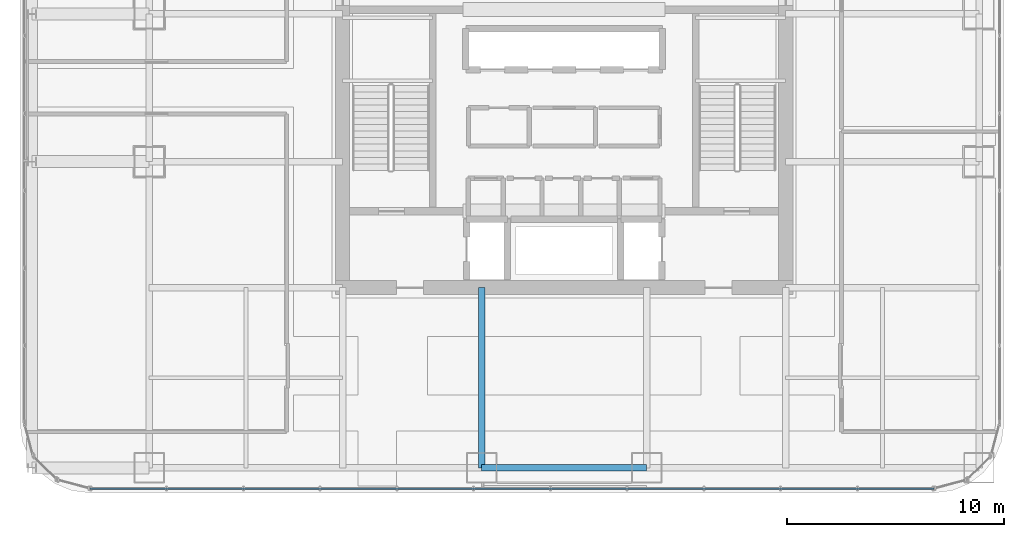
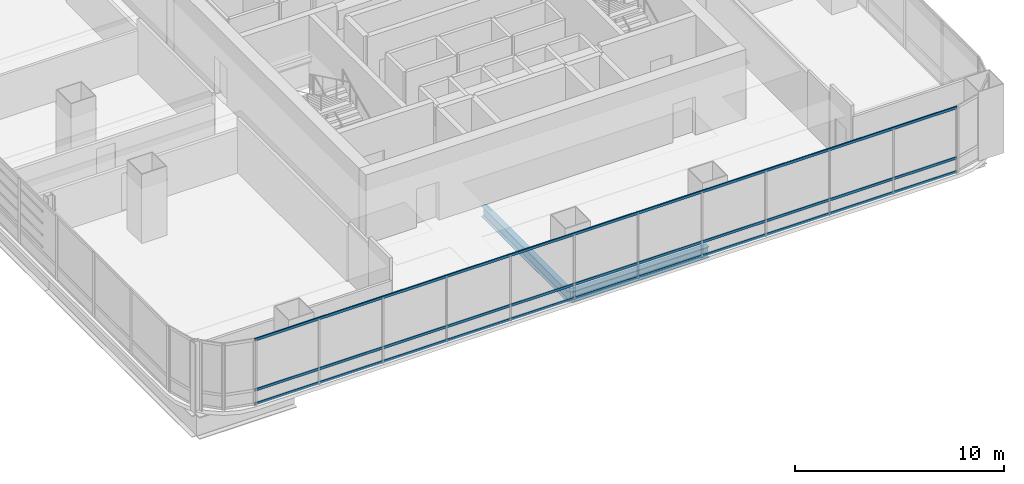
# One storey, part 8 of 38: 3 members, 2 beams, 1 element without a shape of its own.
"""IFC4 building model written with IfcOpenShell, lengths in metres."""

from ifc_helpers import new_model, si_unit, direction, frame, origin, origin_2d, place, context, subcontext, project, spatial, hollow_rectangle, i_section, extrude, material, material_profile, profile_set, type_object, element, aggregate, save


model = new_model("IFC4")

# Units and contexts
model_context = context("Model", 3, precision=1e-05, world=origin(), true_north=direction((0.0, 1.0)))
body_context = subcontext(model_context, "Body", "Model", "MODEL_VIEW")
ifc_project = project(units=[si_unit("LENGTHUNIT", "METRE"), si_unit("AREAUNIT", "SQUARE_METRE"), si_unit("VOLUMEUNIT", "CUBIC_METRE"), si_unit("PLANEANGLEUNIT", "RADIAN"), si_unit("MASSUNIT", "GRAM", prefix="KILO")], contexts=[model_context])

# Site, building, storey
site_placement = place(None, origin())
site = spatial("IfcSite", under=ifc_project, at=site_placement, CompositionType="ELEMENT")
building_placement = place(site_placement, origin())
building = spatial("IfcBuilding", under=site, at=building_placement, Name="Punatoya Terracotta Tower", CompositionType="ELEMENT")
storey_placement = place(building_placement, frame((0.0, 0.0, 147.89990234375)))
storey = spatial("IfcBuildingStorey", under=building, at=storey_placement, Name="L34", CompositionType="ELEMENT", Elevation=147.89990234375)

# Beams
ifc_material_1 = material(Name="Steel S355", Category="steel")
ifc_material_profile_1 = material_profile(ifc_material_1, i_section(OverallWidth=0.300048828125, OverallDepth=0.64990234375, WebThickness=0.01611328125, FlangeThickness=0.031005859375, FilletRadius=0.01806640625, at=origin_2d()))
ifc_profile_set_1 = profile_set([ifc_material_profile_1], Name="Steel S355")
beam_type = type_object("IfcBeamType", Name="BM-PRI-650", PredefinedType="BEAM", material=ifc_profile_set_1)
beam_1_placement = place(storey_placement, frame((-3.800048828125, -17.5, -0.544921875), z_axis=(1.0, 0.0, 0.0), x_axis=(0.0, 1.0, 0.0)))
element("IfcBeam", 1, at=beam_1_placement, inside=storey, type_object=beam_type, Name="BM-L34-RG-S2", PredefinedType="BEAM", context=body_context, shape_type="SweptSolid", body=[
    extrude(i_section(OverallWidth=0.300048828125, OverallDepth=0.64990234375, WebThickness=0.01611328125, FlangeThickness=0.031005859375, FilletRadius=0.01806640625, at=origin_2d()), origin(), (0.0, 0.0, 1.0), 7.60009765625),
])
beam_2_placement = place(storey_placement, frame((-3.800048828125, -17.5, -0.544921875), z_axis=(0.0, 1.0, 0.0), x_axis=(-1.0, 0.0, 0.0)))
element("IfcBeam", 2, at=beam_2_placement, inside=storey, type_object=beam_type, Name="BM-L34-PR-S2", PredefinedType="BEAM", context=body_context, shape_type="SweptSolid", body=[
    extrude(i_section(OverallWidth=0.300048828125, OverallDepth=0.64990234375, WebThickness=0.01611328125, FlangeThickness=0.031005859375, FilletRadius=0.01806640625, at=origin_2d()), origin(), (0.0, 0.0, 1.0), 8.300048828125),
])

# Curtain wall, members
ifc_material_2 = material(Name="Aluminium 6063-T6 + Double Low-E Glass", Category="aluminium")
curtain_wall_type = type_object("IfcCurtainWallType", Name="CW-M2", PredefinedType="NOTDEFINED", material=ifc_material_2)
curtain_wall_placement = place(storey_placement, origin())
curtain_wall = element("IfcCurtainWall", 3, at=curtain_wall_placement, inside=storey, type_object=curtain_wall_type, Name="L34 Curtain Wall CW-L34-S01-1", PredefinedType="NOTDEFINED")
ifc_material_3 = material(Name="Aluminium 6063-T6", Category="aluminium")
ifc_material_profile_2 = material_profile(ifc_material_3, hollow_rectangle(XDim=0.068115234375, YDim=0.14990234375, WallThickness=0.00390625, at=origin_2d()))
ifc_profile_set_2 = profile_set([ifc_material_profile_2], Name="Aluminium 6063-T6")
member_type = type_object("IfcMemberType", Name="CW-TRN-TYP", PredefinedType="USERDEFINED", material=ifc_profile_set_2)
member_1_placement = place(storey_placement, frame((-21.8369140625, -18.449951171875, 0.0400390625), z_axis=(1.0, 0.0, 0.0), x_axis=(0.0, 1.0, 0.0)))
member_1 = element("IfcMember", 4, at=member_1_placement, type_object=member_type, Name="CW-L34-S01-1 Transom 1", ObjectType="TRANSOM", PredefinedType="USERDEFINED", context=body_context, shape_type="SweptSolid", body=[
    extrude(hollow_rectangle(XDim=0.068115234375, YDim=0.14990234375, WallThickness=0.00390625, at=origin_2d()), origin(), (0.0, 0.0, 1.0), 38.873779296875),
])
member_2_placement = place(storey_placement, frame((-21.8369140625, -18.449951171875, 0.85009765625), z_axis=(1.0, 0.0, 0.0), x_axis=(0.0, 1.0, 0.0)))
member_2 = element("IfcMember", 5, at=member_2_placement, type_object=member_type, Name="CW-L34-S01-1 Transom 2", ObjectType="TRANSOM", PredefinedType="USERDEFINED", context=body_context, shape_type="SweptSolid", body=[
    extrude(hollow_rectangle(XDim=0.068115234375, YDim=0.14990234375, WallThickness=0.00390625, at=origin_2d()), origin(), (0.0, 0.0, 1.0), 38.873779296875),
])
member_3_placement = place(storey_placement, frame((-21.8369140625, -18.449951171875, 3.7900390625), z_axis=(1.0, 0.0, 0.0), x_axis=(0.0, 1.0, 0.0)))
member_3 = element("IfcMember", 6, at=member_3_placement, type_object=member_type, Name="CW-L34-S01-1 Transom 3", ObjectType="TRANSOM", PredefinedType="USERDEFINED", context=body_context, shape_type="SweptSolid", body=[
    extrude(hollow_rectangle(XDim=0.068115234375, YDim=0.14990234375, WallThickness=0.00390625, at=origin_2d()), origin(), (0.0, 0.0, 1.0), 38.873779296875),
])
aggregate(curtain_wall, [member_1, member_2, member_3])

save(model, "model.ifc")
